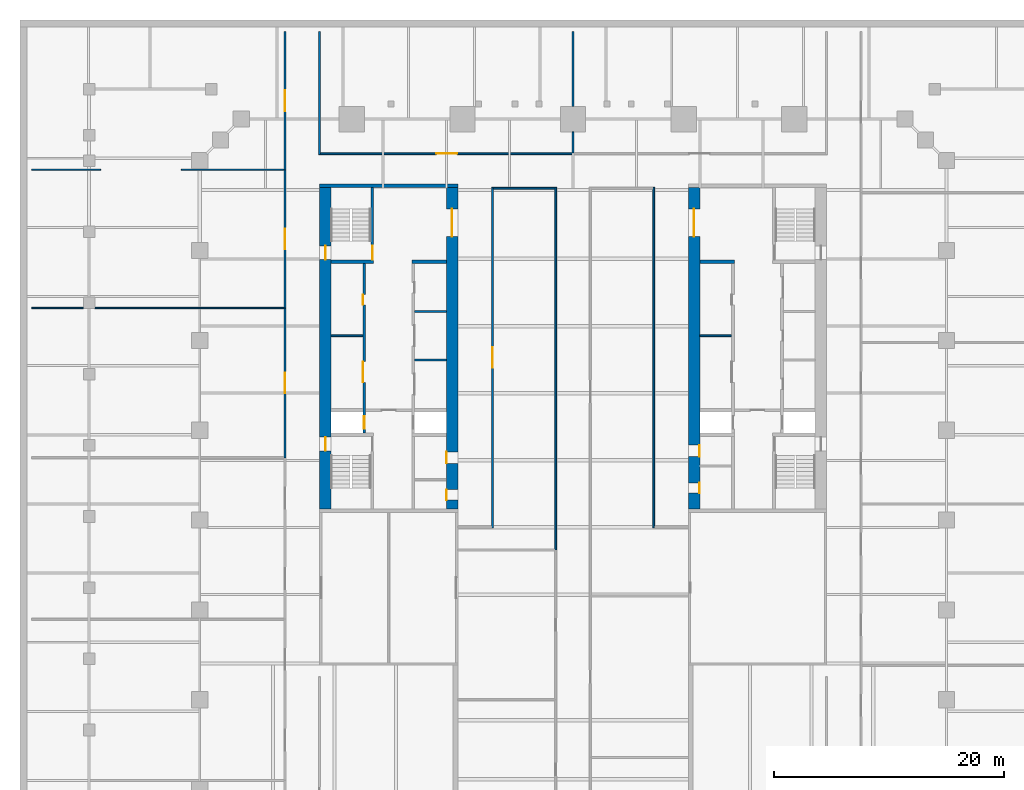
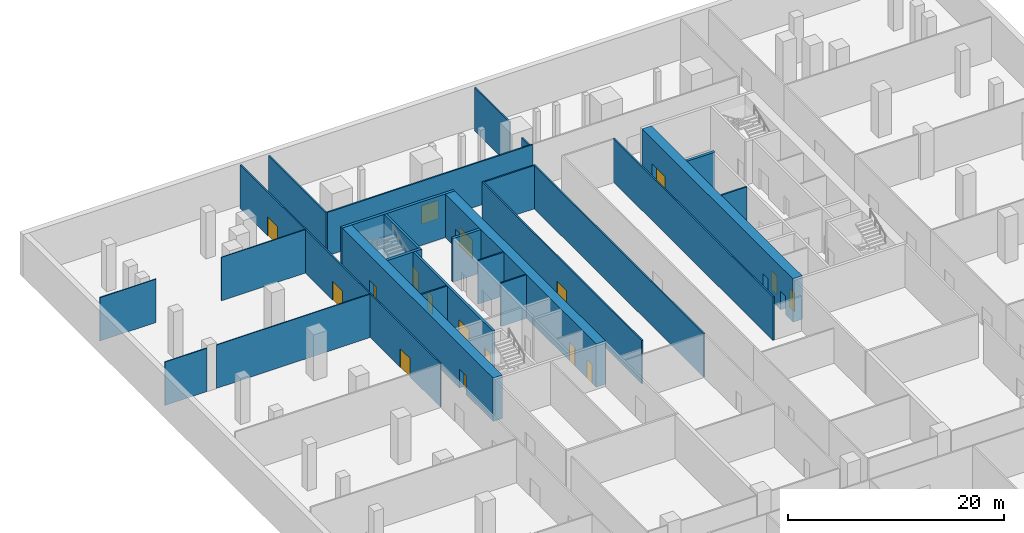
# One storey, part 11 of 15: 28 walls, 17 doors, 17 openings.
"""IFC4 building model written with IfcOpenShell, lengths in metres."""

from ifc_helpers import new_model, si_unit, direction, frame, frame_2d, origin, place, context, subcontext, project, spatial, rectangle, extrude, material, layer, layer_set, type_object, element, fill, save


model = new_model("IFC4")

# Units and contexts
model_context = context("Model", 3, precision=1e-05, world=origin(), true_north=direction((0.0, 1.0)))
body_context = subcontext(model_context, "Body", "Model", "MODEL_VIEW")
ifc_project = project(units=[si_unit("LENGTHUNIT", "METRE"), si_unit("AREAUNIT", "SQUARE_METRE"), si_unit("VOLUMEUNIT", "CUBIC_METRE"), si_unit("PLANEANGLEUNIT", "RADIAN"), si_unit("MASSUNIT", "GRAM", prefix="KILO")], contexts=[model_context])

# Site, building, storey
site_placement = place(None, origin())
site = spatial("IfcSite", under=ifc_project, at=site_placement, CompositionType="ELEMENT")
building_placement = place(site_placement, origin())
building = spatial("IfcBuilding", under=site, at=building_placement, Name="Ogive Exchange Tower", CompositionType="ELEMENT")
storey_placement = place(building_placement, frame((0.0, 0.0, -5.199951171875)))
storey = spatial("IfcBuildingStorey", under=building, at=storey_placement, Name="B1", CompositionType="ELEMENT", Elevation=-5.199951171875)

# Walls
ifc_material_1 = material(Name="Gypsum board partition")
ifc_layer_1 = layer(ifc_material_1, 0.14990234375)
ifc_layer_set_1 = layer_set([ifc_layer_1], Name="Core room partition 150 gypsum")
wall_type_1 = type_object("IfcWallType", Name="Core room partition 150 gypsum", PredefinedType="PARTITIONING", material=ifc_layer_set_1)
for number, where, z_axis, x_axis, name in (
    (1, (-21.0, 12.60009765625, 0.0), (0.0, 0.0, 1.0), (1.0, 0.0, 0.0), "W row A bay partition 1-1"),
    (2, (-13.75, 10.5, 0.0), (0.0, 0.0, 1.0), (1.0, 0.0, 0.0), "W row B bay partition 1-1"),
    (3, (-13.75, 14.699951171875, 0.0), (0.0, 0.0, 1.0), (1.0, 0.0, 0.0), "W row B bay partition 1-2"),
    (4, (11.0, 12.60009765625, 0.0), (0.0, 0.0, 1.0), (1.0, 0.0, 0.0), "E row B bay partition 1-1"),
):
    element("IfcWall", number, at=place(storey_placement, frame(where, z_axis=z_axis, x_axis=x_axis)), inside=storey, type_object=wall_type_1, Name=name, PredefinedType="PARTITIONING", context=body_context, shape_type="SweptSolid", body=[
        extrude(rectangle(XDim=2.75, YDim=0.14990234375, at=frame_2d((1.375, 0.0))), origin(), (0.0, 0.0, 1.0), 4.89990234375),
    ])
ifc_layer_2 = layer(ifc_material_1, 0.300048828125)
ifc_layer_set_2 = layer_set([ifc_layer_2], Name="Core room partition 300 gypsum")
wall_type_2 = type_object("IfcWallType", Name="Core room partition 300 gypsum", PredefinedType="PARTITIONING", material=ifc_layer_set_2)
for number, where, z_axis, x_axis, name in (
    (5, (-14.0, 19.0, 0.0), (0.0, 0.0, 1.0), (1.0, 0.0, 0.0), "W row B room end wall 7"),
    (6, (11.0, 19.0, 0.0), (0.0, 0.0, 1.0), (1.0, 0.0, 0.0), "E row B room end wall 7"),
):
    element("IfcWall", number, at=place(storey_placement, frame(where, z_axis=z_axis, x_axis=x_axis)), inside=storey, type_object=wall_type_2, Name=name, PredefinedType="PARTITIONING", context=body_context, shape_type="SweptSolid", body=[
        extrude(rectangle(XDim=3.0, YDim=0.300048828125, at=frame_2d((1.5, 0.0))), origin(), (0.0, 0.0, 1.0), 4.89990234375),
    ])
ifc_material_2 = material(Name="Fire partition EI 60 150")
ifc_layer_3 = layer(ifc_material_2, 0.14990234375)
ifc_layer_set_3 = layer_set([ifc_layer_3], Name="Fire partition EI 60 150")
wall_type_3 = type_object("IfcWallType", Name="Fire partition EI 60 150", PredefinedType="PARTITIONING", material=ifc_layer_set_3)
wall_1_placement = place(storey_placement, frame((-6.925048828125, 25.39990234375, 0.0), z_axis=(0.0, 0.0, 1.0), x_axis=(1.0, 0.0, 0.0)))
element("IfcWall", 7, at=wall_1_placement, inside=storey, type_object=wall_type_3, Name="B1-PWL-033", PredefinedType="PARTITIONING", context=body_context, shape_type="SweptSolid", body=[
    extrude(rectangle(XDim=5.35009765625, YDim=0.14990234375, at=frame_2d((2.675048828125, 0.0))), origin(), (0.0, 0.0, 1.0), 4.89990234375),
])

# Wall, opening, door
wall_2_placement = place(storey_placement, frame((-21.925048828125, 28.39990234375, 0.0), z_axis=(0.0, 0.0, 1.0), x_axis=(1.0, 0.0, 0.0)))
wall_2 = element("IfcWall", 8, at=wall_2_placement, inside=storey, type_object=wall_type_3, Name="B1-PWL-037", PredefinedType="PARTITIONING", context=body_context, shape_type="SweptSolid", body=[
    extrude(rectangle(XDim=21.925048828125, YDim=0.14990234375, at=frame_2d((10.96240234375, 0.0))), origin(), (0.0, 0.0, 1.0), 4.89990234375),
])
opening_1_placement = place(wall_2_placement, frame((10.0625, 0.0, 0.0)))
opening_1 = element("IfcOpeningElement", 9, at=opening_1_placement, cuts=wall_2, Name="Opening B1-I33", PredefinedType="OPENING", context=body_context, shape_type="SweptSolid", body=[
    extrude(rectangle(XDim=1.800048828125, YDim=2.10009765625, at=frame_2d((0.89990234375, 1.050048828125))), frame((0.0, 0.0849609375, 0.0), z_axis=(0.0, -1.0, 0.0), x_axis=(1.0, 0.0, 0.0)), (0.0, 0.0, 1.0), 0.169921875),
])
ifc_material_3 = material(Name="Fire door FD 30S 1800 x 2100")
door_type_1 = type_object("IfcDoorType", Name="Fire door FD 30S 1800 x 2100", OperationType="DOUBLE_DOOR_SINGLE_SWING", PredefinedType="DOOR", material=ifc_material_3)
door_1_placement = place(opening_1_placement, frame((1.800048828125, 0.0, 0.0), z_axis=(0.0, 0.0, 1.0), x_axis=(-1.0, 0.0, 0.0)))
door_1 = element("IfcDoor", 10, at=door_1_placement, inside=storey, type_object=door_type_1, Name="B1-IDR-033", ObjectType="DT4", OperationType="SINGLE_SWING_LEFT", OverallHeight=2.10009765625, OverallWidth=1.800048828125, PredefinedType="DOOR", context=body_context, shape_type="SweptSolid", body=[
    extrude(rectangle(XDim=1.800048828125, YDim=2.10009765625, at=frame_2d((0.89990234375, 1.050048828125))), frame((0.0, 0.02490234375, 0.0), z_axis=(0.0, -1.0, 0.0), x_axis=(1.0, 0.0, 0.0)), (0.0, 0.0, 1.0), 0.050048828125),
])
fill(opening_1, door_1)

wall_3_placement = place(storey_placement, frame((-25.0, 2.0, 0.0), z_axis=(0.0, 0.0, 1.0), x_axis=(0.0, 1.0, 0.0)))
wall_3 = element("IfcWall", 11, at=wall_3_placement, inside=storey, type_object=wall_type_3, Name="B1-PWL-046", PredefinedType="PARTITIONING", context=body_context, shape_type="SweptSolid", body=[
    extrude(rectangle(XDim=13.0, YDim=0.14990234375, at=frame_2d((6.5, 0.0))), origin(), (0.0, 0.0, 1.0), 4.89990234375),
])
opening_2_placement = place(wall_3_placement, frame((5.60009765625, 0.0, 0.0)))
opening_2 = element("IfcOpeningElement", 12, at=opening_2_placement, cuts=wall_3, Name="Opening B1-I08", PredefinedType="OPENING", context=body_context, shape_type="SweptSolid", body=[
    extrude(rectangle(XDim=1.800048828125, YDim=2.10009765625, at=frame_2d((0.89990234375, 1.050048828125))), frame((0.0, 0.0849609375, 0.0), z_axis=(0.0, -1.0, 0.0), x_axis=(1.0, 0.0, 0.0)), (0.0, 0.0, 1.0), 0.169921875),
])
door_2_placement = place(opening_2_placement, frame((1.800048828125, 0.0, 0.0), z_axis=(0.0, 0.0, 1.0), x_axis=(-1.0, 0.0, 0.0)))
door_2 = element("IfcDoor", 13, at=door_2_placement, inside=storey, type_object=door_type_1, Name="B1-IDR-008", ObjectType="DT4", OperationType="SINGLE_SWING_RIGHT", OverallHeight=2.10009765625, OverallWidth=1.800048828125, PredefinedType="DOOR", context=body_context, shape_type="SweptSolid", body=[
    extrude(rectangle(XDim=1.800048828125, YDim=2.10009765625, at=frame_2d((0.89990234375, 1.050048828125))), frame((0.0, 0.02490234375, 0.0), z_axis=(0.0, -1.0, 0.0), x_axis=(1.0, 0.0, 0.0)), (0.0, 0.0, 1.0), 0.050048828125),
])
fill(opening_2, door_2)

wall_4_placement = place(storey_placement, frame((-25.0, 15.0, 0.0), z_axis=(0.0, 0.0, 1.0), x_axis=(0.0, 1.0, 0.0)))
wall_4 = element("IfcWall", 14, at=wall_4_placement, inside=storey, type_object=wall_type_3, Name="B1-PWL-047", PredefinedType="PARTITIONING", context=body_context, shape_type="SweptSolid", body=[
    extrude(rectangle(XDim=12.0, YDim=0.14990234375, at=frame_2d((6.0, 0.0))), origin(), (0.0, 0.0, 1.0), 4.89990234375),
])
opening_3_placement = place(wall_4_placement, frame((5.10009765625, 0.0, 0.0)))
opening_3 = element("IfcOpeningElement", 15, at=opening_3_placement, cuts=wall_4, Name="Opening B1-I09", PredefinedType="OPENING", context=body_context, shape_type="SweptSolid", body=[
    extrude(rectangle(XDim=1.800048828125, YDim=2.10009765625, at=frame_2d((0.89990234375, 1.050048828125))), frame((0.0, 0.0849609375, 0.0), z_axis=(0.0, -1.0, 0.0), x_axis=(1.0, 0.0, 0.0)), (0.0, 0.0, 1.0), 0.169921875),
])
door_3_placement = place(opening_3_placement, frame((1.800048828125, 0.0, 0.0), z_axis=(0.0, 0.0, 1.0), x_axis=(-1.0, 0.0, 0.0)))
door_3 = element("IfcDoor", 16, at=door_3_placement, inside=storey, type_object=door_type_1, Name="B1-IDR-009", ObjectType="DT4", OperationType="SINGLE_SWING_RIGHT", OverallHeight=2.10009765625, OverallWidth=1.800048828125, PredefinedType="DOOR", context=body_context, shape_type="SweptSolid", body=[
    extrude(rectangle(XDim=1.800048828125, YDim=2.10009765625, at=frame_2d((0.89990234375, 1.050048828125))), frame((0.0, 0.02490234375, 0.0), z_axis=(0.0, -1.0, 0.0), x_axis=(1.0, 0.0, 0.0)), (0.0, 0.0, 1.0), 0.050048828125),
])
fill(opening_3, door_3)

wall_5_placement = place(storey_placement, frame((-25.0, 27.0, 0.0), z_axis=(0.0, 0.0, 1.0), x_axis=(0.0, 1.0, 0.0)))
wall_5 = element("IfcWall", 17, at=wall_5_placement, inside=storey, type_object=wall_type_3, Name="B1-PWL-048", PredefinedType="PARTITIONING", context=body_context, shape_type="SweptSolid", body=[
    extrude(rectangle(XDim=12.0, YDim=0.14990234375, at=frame_2d((6.0, 0.0))), origin(), (0.0, 0.0, 1.0), 4.89990234375),
])
opening_4_placement = place(wall_5_placement, frame((5.10009765625, 0.0, 0.0)))
opening_4 = element("IfcOpeningElement", 18, at=opening_4_placement, cuts=wall_5, Name="Opening B1-I10", PredefinedType="OPENING", context=body_context, shape_type="SweptSolid", body=[
    extrude(rectangle(XDim=1.800048828125, YDim=2.10009765625, at=frame_2d((0.89990234375, 1.050048828125))), frame((0.0, 0.0849609375, 0.0), z_axis=(0.0, -1.0, 0.0), x_axis=(1.0, 0.0, 0.0)), (0.0, 0.0, 1.0), 0.169921875),
])
door_4_placement = place(opening_4_placement, frame((1.800048828125, 0.0, 0.0), z_axis=(0.0, 0.0, 1.0), x_axis=(-1.0, 0.0, 0.0)))
door_4 = element("IfcDoor", 19, at=door_4_placement, inside=storey, type_object=door_type_1, Name="B1-IDR-010", ObjectType="DT4", OperationType="SINGLE_SWING_LEFT", OverallHeight=2.10009765625, OverallWidth=1.800048828125, PredefinedType="DOOR", context=body_context, shape_type="SweptSolid", body=[
    extrude(rectangle(XDim=1.800048828125, YDim=2.10009765625, at=frame_2d((0.89990234375, 1.050048828125))), frame((0.0, 0.02490234375, 0.0), z_axis=(0.0, -1.0, 0.0), x_axis=(1.0, 0.0, 0.0)), (0.0, 0.0, 1.0), 0.050048828125),
])
fill(opening_4, door_4)

# Wall
wall_6_placement = place(storey_placement, frame((-22.0, 28.324951171875, 0.0), z_axis=(0.0, 0.0, 1.0), x_axis=(0.0, 1.0, 0.0)))
element("IfcWall", 20, at=wall_6_placement, inside=storey, type_object=wall_type_3, Name="B1-PWL-051", PredefinedType="PARTITIONING", context=body_context, shape_type="SweptSolid", body=[
    extrude(rectangle(XDim=10.675048828125, YDim=0.14990234375, at=frame_2d((5.33740234375, 0.0))), origin(), (0.0, 0.0, 1.0), 4.89990234375),
])

# Wall, opening, door
wall_7_placement = place(storey_placement, frame((-7.0, -4.074951171875, 0.0), z_axis=(0.0, 0.0, 1.0), x_axis=(0.0, 1.0, 0.0)))
wall_7 = element("IfcWall", 21, at=wall_7_placement, inside=storey, type_object=wall_type_3, Name="B1-PWL-053", PredefinedType="PARTITIONING", context=body_context, shape_type="SweptSolid", body=[
    extrude(rectangle(XDim=29.550048828125, YDim=0.14990234375, at=frame_2d((14.77490234375, 0.0))), origin(), (0.0, 0.0, 1.0), 4.89990234375),
])
opening_5_placement = place(wall_7_placement, frame((13.875, 0.0, 0.0)))
opening_5 = element("IfcOpeningElement", 22, at=opening_5_placement, cuts=wall_7, Name="Opening B1-I23", PredefinedType="OPENING", context=body_context, shape_type="SweptSolid", body=[
    extrude(rectangle(XDim=1.800048828125, YDim=2.10009765625, at=frame_2d((0.89990234375, 1.050048828125))), frame((0.0, 0.0849609375, 0.0), z_axis=(0.0, -1.0, 0.0), x_axis=(1.0, 0.0, 0.0)), (0.0, 0.0, 1.0), 0.169921875),
])
door_5_placement = place(opening_5_placement, frame((1.800048828125, 0.0, 0.0), z_axis=(0.0, 0.0, 1.0), x_axis=(-1.0, 0.0, 0.0)))
door_5 = element("IfcDoor", 23, at=door_5_placement, inside=storey, type_object=door_type_1, Name="B1-IDR-023", ObjectType="DT4", OperationType="SINGLE_SWING_RIGHT", OverallHeight=2.10009765625, OverallWidth=1.800048828125, PredefinedType="DOOR", context=body_context, shape_type="SweptSolid", body=[
    extrude(rectangle(XDim=1.800048828125, YDim=2.10009765625, at=frame_2d((0.89990234375, 1.050048828125))), frame((0.0, 0.02490234375, 0.0), z_axis=(0.0, -1.0, 0.0), x_axis=(1.0, 0.0, 0.0)), (0.0, 0.0, 1.0), 0.050048828125),
])
fill(opening_5, door_5)

# Walls
wall_8_placement = place(storey_placement, frame((-1.5, -6.0, 0.0), z_axis=(0.0, 0.0, 1.0), x_axis=(0.0, 1.0, 0.0)))
element("IfcWall", 24, at=wall_8_placement, inside=storey, type_object=wall_type_3, Name="B1-PWL-056", PredefinedType="PARTITIONING", context=body_context, shape_type="SweptSolid", body=[
    extrude(rectangle(XDim=31.47509765625, YDim=0.14990234375, at=frame_2d((15.737548828125, 0.0))), origin(), (0.0, 0.0, 1.0), 4.89990234375),
])
wall_9_placement = place(storey_placement, frame((0.0, 28.47509765625, 0.0), z_axis=(0.0, 0.0, 1.0), x_axis=(0.0, 1.0, 0.0)))
element("IfcWall", 25, at=wall_9_placement, inside=storey, type_object=wall_type_3, Name="B1-PWL-059", PredefinedType="PARTITIONING", context=body_context, shape_type="SweptSolid", body=[
    extrude(rectangle(XDim=1.824951171875, YDim=0.14990234375, at=frame_2d((0.91259765625, 0.0))), origin(), (0.0, 0.0, 1.0), 4.489990234375),
])
wall_10_placement = place(storey_placement, frame((0.0, 32.5, 0.0), z_axis=(0.0, 0.0, 1.0), x_axis=(0.0, 1.0, 0.0)))
element("IfcWall", 26, at=wall_10_placement, inside=storey, type_object=wall_type_3, Name="B1-PWL-060", PredefinedType="PARTITIONING", context=body_context, shape_type="SweptSolid", body=[
    extrude(rectangle(XDim=6.5, YDim=0.14990234375, at=frame_2d((3.25, 0.0))), origin(), (0.0, 0.0, 1.0), 4.89990234375),
])
wall_11_placement = place(storey_placement, frame((7.0, -4.074951171875, 0.0), z_axis=(0.0, 0.0, 1.0), x_axis=(0.0, 1.0, 0.0)))
element("IfcWall", 27, at=wall_11_placement, inside=storey, type_object=wall_type_3, Name="B1-PWL-064", PredefinedType="PARTITIONING", context=body_context, shape_type="SweptSolid", body=[
    extrude(rectangle(XDim=29.550048828125, YDim=0.14990234375, at=frame_2d((14.77490234375, 0.0))), origin(), (0.0, 0.0, 1.0), 4.89990234375),
])
ifc_material_4 = material(Name="Partition 100 gypsum")
ifc_layer_4 = layer(ifc_material_4, 0.10009765625)
ifc_layer_set_4 = layer_set([ifc_layer_4], Name="Partition 100 gypsum")
wall_type_4 = type_object("IfcWallType", Name="Partition 100 gypsum", PredefinedType="PARTITIONING", material=ifc_layer_set_4)
wall_12_placement = place(storey_placement, frame((-47.0, 15.0, 0.0), z_axis=(0.0, 0.0, 1.0), x_axis=(1.0, 0.0, 0.0)))
element("IfcWall", 28, at=wall_12_placement, inside=storey, type_object=wall_type_4, Name="B1-PWL-030", PredefinedType="PARTITIONING", context=body_context, shape_type="SweptSolid", body=[
    extrude(rectangle(XDim=4.5, YDim=0.10009765625, at=frame_2d((2.25, 0.0))), origin(), (0.0, 0.0, 1.0), 4.89990234375),
])
wall_13_placement = place(storey_placement, frame((-41.5, 15.0, 0.0), z_axis=(0.0, 0.0, 1.0), x_axis=(1.0, 0.0, 0.0)))
element("IfcWall", 29, at=wall_13_placement, inside=storey, type_object=wall_type_4, Name="B1-PWL-031", PredefinedType="PARTITIONING", context=body_context, shape_type="SweptSolid", body=[
    extrude(rectangle(XDim=16.425048828125, YDim=0.10009765625, at=frame_2d((8.21240234375, 0.0))), origin(), (0.0, 0.0, 1.0), 4.89990234375),
])
wall_14_placement = place(storey_placement, frame((-47.0, 27.0, 0.0), z_axis=(0.0, 0.0, 1.0), x_axis=(1.0, 0.0, 0.0)))
element("IfcWall", 30, at=wall_14_placement, inside=storey, type_object=wall_type_4, Name="B1-PWL-035", PredefinedType="PARTITIONING", context=body_context, shape_type="SweptSolid", body=[
    extrude(rectangle(XDim=6.0, YDim=0.10009765625, at=frame_2d((3.0, 0.0))), origin(), (0.0, 0.0, 1.0), 4.89990234375),
])
wall_15_placement = place(storey_placement, frame((-34.0, 27.0, 0.0), z_axis=(0.0, 0.0, 1.0), x_axis=(1.0, 0.0, 0.0)))
element("IfcWall", 31, at=wall_15_placement, inside=storey, type_object=wall_type_4, Name="B1-PWL-036", PredefinedType="PARTITIONING", context=body_context, shape_type="SweptSolid", body=[
    extrude(rectangle(XDim=8.925048828125, YDim=0.10009765625, at=frame_2d((4.46240234375, 0.0))), origin(), (0.0, 0.0, 1.0), 4.89990234375),
])

# Wall, openings, doors
ifc_material_5 = material(Name="Concrete C70/85", Category="concrete")
ifc_layer_5 = layer(ifc_material_5, 1.0)
ifc_layer_set_5 = layer_set([ifc_layer_5], Name="RC core wall 1000 C70/85")
wall_type_5 = type_object("IfcWallType", Name="RC core wall 1000 C70/85", PredefinedType="SHEAR", material=ifc_layer_set_5)
wall_16_placement = place(storey_placement, frame((-21.5, -2.449951171875, 0.0), z_axis=(0.0, 0.0, 1.0), x_axis=(0.0, 1.0, 0.0)))
wall_16 = element("IfcWall", 32, at=wall_16_placement, inside=storey, type_object=wall_type_5, Name="W outer wall", PredefinedType="SHEAR", context=body_context, shape_type="SweptSolid", body=[
    extrude(rectangle(XDim=27.89990234375, YDim=1.0, at=frame_2d((13.949951171875, 0.0))), origin(), (0.0, 0.0, 1.0), 4.89990234375),
])
opening_6_placement = place(wall_16_placement, frame((5.050048828125, 0.0, 0.0)))
opening_6 = element("IfcOpeningElement", 33, at=opening_6_placement, cuts=wall_16, Name="Opening B1-C11", PredefinedType="OPENING", context=body_context, shape_type="SweptSolid", body=[
    extrude(rectangle(XDim=1.199951171875, YDim=2.10009765625, at=frame_2d((0.60009765625, 1.050048828125))), frame((0.0, 0.510009765625, 0.0), z_axis=(0.0, -1.0, 0.0), x_axis=(1.0, 0.0, 0.0)), (0.0, 0.0, 1.0), 1.02001953125),
])
opening_7_placement = place(wall_16_placement, frame((21.64990234375, 0.0, 0.0)))
opening_7 = element("IfcOpeningElement", 34, at=opening_7_placement, cuts=wall_16, Name="Opening B1-C13", PredefinedType="OPENING", context=body_context, shape_type="SweptSolid", body=[
    extrude(rectangle(XDim=1.199951171875, YDim=2.10009765625, at=frame_2d((0.60009765625, 1.050048828125))), frame((0.0, 0.510009765625, 0.0), z_axis=(0.0, -1.0, 0.0), x_axis=(1.0, 0.0, 0.0)), (0.0, 0.0, 1.0), 1.02001953125),
])
ifc_material_6 = material(Name="Steel fire door", Category="steel")
door_type_2 = type_object("IfcDoorType", Name="Stair door FD90 1200 x 2100", OperationType="NOTDEFINED", PredefinedType="DOOR", material=ifc_material_6)
door_6_placement = place(opening_6_placement, frame((1.199951171875, 0.0, 0.0), z_axis=(0.0, 0.0, 1.0), x_axis=(-1.0, 0.0, 0.0)))
door_6 = element("IfcDoor", 35, at=door_6_placement, inside=storey, type_object=door_type_2, Name="Stair door", ObjectType="CD5", OperationType="SINGLE_SWING_RIGHT", OverallHeight=2.10009765625, OverallWidth=1.199951171875, PredefinedType="DOOR", context=body_context, shape_type="SweptSolid", body=[
    extrude(rectangle(XDim=1.199951171875, YDim=2.10009765625, at=frame_2d((0.60009765625, 1.050048828125))), frame((0.0, 0.02490234375, 0.0), z_axis=(0.0, -1.0, 0.0), x_axis=(1.0, 0.0, 0.0)), (0.0, 0.0, 1.0), 0.050048828125),
])
fill(opening_6, door_6)
door_7_placement = place(opening_7_placement, frame((1.199951171875, 0.0, 0.0), z_axis=(0.0, 0.0, 1.0), x_axis=(-1.0, 0.0, 0.0)))
door_7 = element("IfcDoor", 36, at=door_7_placement, inside=storey, type_object=door_type_2, Name="Stair door", ObjectType="CD5", OperationType="SINGLE_SWING_LEFT", OverallHeight=2.10009765625, OverallWidth=1.199951171875, PredefinedType="DOOR", context=body_context, shape_type="SweptSolid", body=[
    extrude(rectangle(XDim=1.199951171875, YDim=2.10009765625, at=frame_2d((0.60009765625, 1.050048828125))), frame((0.0, 0.02490234375, 0.0), z_axis=(0.0, -1.0, 0.0), x_axis=(1.0, 0.0, 0.0)), (0.0, 0.0, 1.0), 0.050048828125),
])
fill(opening_7, door_7)

wall_17_placement = place(storey_placement, frame((-10.5, -2.449951171875, 0.0), z_axis=(0.0, 0.0, 1.0), x_axis=(0.0, 1.0, 0.0)))
wall_17 = element("IfcWall", 37, at=wall_17_placement, inside=storey, type_object=wall_type_5, Name="W inner wall", PredefinedType="SHEAR", context=body_context, shape_type="SweptSolid", body=[
    extrude(rectangle(XDim=27.89990234375, YDim=1.0, at=frame_2d((13.949951171875, 0.0))), origin(), (0.0, 0.0, 1.0), 4.89990234375),
])
opening_8_placement = place(wall_17_placement, frame((23.64990234375, 0.0, 0.0)))
opening_8 = element("IfcOpeningElement", 38, at=opening_8_placement, cuts=wall_17, Name="Opening B1-C09", PredefinedType="OPENING", context=body_context, shape_type="SweptSolid", body=[
    extrude(rectangle(XDim=2.39990234375, YDim=2.10009765625, at=frame_2d((1.199951171875, 1.050048828125))), frame((0.0, 0.510009765625, 0.0), z_axis=(0.0, -1.0, 0.0), x_axis=(1.0, 0.0, 0.0)), (0.0, 0.0, 1.0), 1.02001953125),
])
opening_9_placement = place(wall_17_placement, frame((0.78759765625, 0.0, 0.0)))
opening_9 = element("IfcOpeningElement", 39, at=opening_9_placement, cuts=wall_17, Name="Opening B1-C14", PredefinedType="OPENING", context=body_context, shape_type="SweptSolid", body=[
    extrude(rectangle(XDim=0.89990234375, YDim=2.10009765625, at=frame_2d((0.449951171875, 1.050048828125))), frame((0.0, 0.510009765625, 0.0), z_axis=(0.0, -1.0, 0.0), x_axis=(1.0, 0.0, 0.0)), (0.0, 0.0, 1.0), 1.02001953125),
])
opening_10_placement = place(wall_17_placement, frame((3.96240234375, 0.0, 0.0)))
opening_10 = element("IfcOpeningElement", 40, at=opening_10_placement, cuts=wall_17, Name="Opening B1-C15", PredefinedType="OPENING", context=body_context, shape_type="SweptSolid", body=[
    extrude(rectangle(XDim=1.0, YDim=2.10009765625, at=frame_2d((0.5, 1.050048828125))), frame((0.0, 0.510009765625, 0.0), z_axis=(0.0, -1.0, 0.0), x_axis=(1.0, 0.0, 0.0)), (0.0, 0.0, 1.0), 1.02001953125),
])
ifc_material_7 = material(Name="Timber fire door", Category="wood")
door_type_3 = type_object("IfcDoorType", Name="Accessible WC door FD30S 1000 x 2100", OperationType="NOTDEFINED", PredefinedType="DOOR", material=ifc_material_7)
door_8_placement = place(opening_10_placement, origin())
door_8 = element("IfcDoor", 41, at=door_8_placement, inside=storey, type_object=door_type_3, Name="Accessible WC door", ObjectType="CD7", OperationType="SINGLE_SWING_LEFT", OverallHeight=2.10009765625, OverallWidth=1.0, PredefinedType="DOOR", context=body_context, shape_type="SweptSolid", body=[
    extrude(rectangle(XDim=1.0, YDim=2.10009765625, at=frame_2d((0.5, 1.050048828125))), frame((0.0, 0.5, 0.0), z_axis=(0.0, -1.0, 0.0), x_axis=(1.0, 0.0, 0.0)), (0.0, 0.0, 1.0), 0.050048828125),
])
fill(opening_10, door_8)
door_type_4 = type_object("IfcDoorType", Name="Core room door FD30S 900 x 2100", OperationType="NOTDEFINED", PredefinedType="DOOR", material=ifc_material_7)
door_9_placement = place(opening_9_placement, origin())
door_9 = element("IfcDoor", 42, at=door_9_placement, inside=storey, type_object=door_type_4, Name="Core room door", ObjectType="CD6", OperationType="SINGLE_SWING_LEFT", OverallHeight=2.10009765625, OverallWidth=0.89990234375, PredefinedType="DOOR", context=body_context, shape_type="SweptSolid", body=[
    extrude(rectangle(XDim=0.89990234375, YDim=2.10009765625, at=frame_2d((0.449951171875, 1.050048828125))), frame((0.0, 0.5, 0.0), z_axis=(0.0, -1.0, 0.0), x_axis=(1.0, 0.0, 0.0)), (0.0, 0.0, 1.0), 0.050048828125),
])
fill(opening_9, door_9)
ifc_material_8 = material(Name="Glazed steel fire door", Category="steel")
door_type_5 = type_object("IfcDoorType", Name="Lift lobby double door FD60 2400 x 2100", OperationType="DOUBLE_DOOR_SINGLE_SWING", PredefinedType="DOOR", material=ifc_material_8)
door_10_placement = place(opening_8_placement, frame((2.39990234375, 0.0, 0.0), z_axis=(0.0, 0.0, 1.0), x_axis=(-1.0, 0.0, 0.0)))
door_10 = element("IfcDoor", 43, at=door_10_placement, inside=storey, type_object=door_type_5, Name="Lift lobby double door", ObjectType="CD4", OperationType="DOUBLE_DOOR_SINGLE_SWING", OverallHeight=2.10009765625, OverallWidth=2.39990234375, PredefinedType="DOOR", context=body_context, shape_type="SweptSolid", body=[
    extrude(rectangle(XDim=2.39990234375, YDim=2.10009765625, at=frame_2d((1.199951171875, 1.050048828125))), frame((0.0, 0.02490234375, 0.0), z_axis=(0.0, -1.0, 0.0), x_axis=(1.0, 0.0, 0.0)), (0.0, 0.0, 1.0), 0.050048828125),
])
fill(opening_8, door_10)

wall_18_placement = place(storey_placement, frame((10.5, -2.449951171875, 0.0), z_axis=(0.0, 0.0, 1.0), x_axis=(0.0, 1.0, 0.0)))
wall_18 = element("IfcWall", 44, at=wall_18_placement, inside=storey, type_object=wall_type_5, Name="E inner wall", PredefinedType="SHEAR", context=body_context, shape_type="SweptSolid", body=[
    extrude(rectangle(XDim=27.89990234375, YDim=1.0, at=frame_2d((13.949951171875, 0.0))), origin(), (0.0, 0.0, 1.0), 4.89990234375),
])
opening_11_placement = place(wall_18_placement, frame((23.64990234375, 0.0, 0.0)))
opening_11 = element("IfcOpeningElement", 45, at=opening_11_placement, cuts=wall_18, Name="Opening B1-C26", PredefinedType="OPENING", context=body_context, shape_type="SweptSolid", body=[
    extrude(rectangle(XDim=2.39990234375, YDim=2.10009765625, at=frame_2d((1.199951171875, 1.050048828125))), frame((0.0, 0.510009765625, 0.0), z_axis=(0.0, -1.0, 0.0), x_axis=(1.0, 0.0, 0.0)), (0.0, 0.0, 1.0), 1.02001953125),
])
opening_12_placement = place(wall_18_placement, frame((1.387451171875, 0.0, 0.0)))
opening_12 = element("IfcOpeningElement", 46, at=opening_12_placement, cuts=wall_18, Name="Opening B1-C31", PredefinedType="OPENING", context=body_context, shape_type="SweptSolid", body=[
    extrude(rectangle(XDim=0.89990234375, YDim=2.10009765625, at=frame_2d((0.449951171875, 1.050048828125))), frame((0.0, 0.510009765625, 0.0), z_axis=(0.0, -1.0, 0.0), x_axis=(1.0, 0.0, 0.0)), (0.0, 0.0, 1.0), 1.02001953125),
])
opening_13_placement = place(wall_18_placement, frame((4.5625, 0.0, 0.0)))
opening_13 = element("IfcOpeningElement", 47, at=opening_13_placement, cuts=wall_18, Name="Opening B1-C32", PredefinedType="OPENING", context=body_context, shape_type="SweptSolid", body=[
    extrude(rectangle(XDim=1.0, YDim=2.10009765625, at=frame_2d((0.5, 1.050048828125))), frame((0.0, 0.510009765625, 0.0), z_axis=(0.0, -1.0, 0.0), x_axis=(1.0, 0.0, 0.0)), (0.0, 0.0, 1.0), 1.02001953125),
])
door_11_placement = place(opening_13_placement, frame((1.0, -0.9501953125, 0.0), z_axis=(0.0, 0.0, 1.0), x_axis=(-1.0, 0.0, 0.0)))
door_11 = element("IfcDoor", 48, at=door_11_placement, inside=storey, type_object=door_type_3, Name="Accessible WC door", ObjectType="CD7", OperationType="SINGLE_SWING_LEFT", OverallHeight=2.10009765625, OverallWidth=1.0, PredefinedType="DOOR", context=body_context, shape_type="SweptSolid", body=[
    extrude(rectangle(XDim=1.0, YDim=2.10009765625, at=frame_2d((0.5, 1.050048828125))), frame((0.0, -0.4501953125, 0.0), z_axis=(0.0, -1.0, 0.0), x_axis=(1.0, 0.0, 0.0)), (0.0, 0.0, 1.0), 0.050048828125),
])
fill(opening_13, door_11)
door_12_placement = place(opening_12_placement, frame((0.89990234375, -0.9501953125, 0.0), z_axis=(0.0, 0.0, 1.0), x_axis=(-1.0, 0.0, 0.0)))
door_12 = element("IfcDoor", 49, at=door_12_placement, inside=storey, type_object=door_type_4, Name="Core room door", ObjectType="CD6", OperationType="SINGLE_SWING_LEFT", OverallHeight=2.10009765625, OverallWidth=0.89990234375, PredefinedType="DOOR", context=body_context, shape_type="SweptSolid", body=[
    extrude(rectangle(XDim=0.89990234375, YDim=2.10009765625, at=frame_2d((0.449951171875, 1.050048828125))), frame((0.0, -0.4501953125, 0.0), z_axis=(0.0, -1.0, 0.0), x_axis=(1.0, 0.0, 0.0)), (0.0, 0.0, 1.0), 0.050048828125),
])
fill(opening_12, door_12)
door_13_placement = place(opening_11_placement, origin())
door_13 = element("IfcDoor", 50, at=door_13_placement, inside=storey, type_object=door_type_5, Name="Lift lobby double door", ObjectType="CD4", OperationType="DOUBLE_DOOR_SINGLE_SWING", OverallHeight=2.10009765625, OverallWidth=2.39990234375, PredefinedType="DOOR", context=body_context, shape_type="SweptSolid", body=[
    extrude(rectangle(XDim=2.39990234375, YDim=2.10009765625, at=frame_2d((1.199951171875, 1.050048828125))), frame((0.0, 0.02490234375, 0.0), z_axis=(0.0, -1.0, 0.0), x_axis=(1.0, 0.0, 0.0)), (0.0, 0.0, 1.0), 0.050048828125),
])
fill(opening_11, door_13)

# Wall, opening, door
ifc_layer_6 = layer(ifc_material_5, 0.25)
ifc_layer_set_6 = layer_set([ifc_layer_6], Name="RC core wall 250 C70/85")
wall_type_6 = type_object("IfcWallType", Name="RC core wall 250 C70/85", PredefinedType="SHEAR", material=ifc_layer_set_6)
wall_19_placement = place(storey_placement, frame((-17.425048828125, 19.14990234375, 0.0), z_axis=(0.0, 0.0, 1.0), x_axis=(0.0, 1.0, 0.0)))
wall_19 = element("IfcWall", 51, at=wall_19_placement, inside=storey, type_object=wall_type_6, Name="W stair N front wall", PredefinedType="SHEAR", context=body_context, shape_type="SweptSolid", body=[
    extrude(rectangle(XDim=6.300048828125, YDim=0.25, at=frame_2d((3.14990234375, 0.0))), origin(), (0.0, 0.0, 1.0), 4.89990234375),
])
opening_14_placement = place(wall_19_placement, frame((0.050048828125, 0.0, 0.0)))
opening_14 = element("IfcOpeningElement", 52, at=opening_14_placement, cuts=wall_19, Name="Opening B1-C12", PredefinedType="OPENING", context=body_context, shape_type="SweptSolid", body=[
    extrude(rectangle(XDim=1.199951171875, YDim=2.10009765625, at=frame_2d((0.60009765625, 1.050048828125))), frame((0.0, 0.135009765625, 0.0), z_axis=(0.0, -1.0, 0.0), x_axis=(1.0, 0.0, 0.0)), (0.0, 0.0, 1.0), 0.27001953125),
])
door_14_placement = place(opening_14_placement, origin())
door_14 = element("IfcDoor", 53, at=door_14_placement, inside=storey, type_object=door_type_2, Name="Stair door", ObjectType="CD5", OperationType="SINGLE_SWING_RIGHT", OverallHeight=2.10009765625, OverallWidth=1.199951171875, PredefinedType="DOOR", context=body_context, shape_type="SweptSolid", body=[
    extrude(rectangle(XDim=1.199951171875, YDim=2.10009765625, at=frame_2d((0.60009765625, 1.050048828125))), frame((0.0, 0.02490234375, 0.0), z_axis=(0.0, -1.0, 0.0), x_axis=(1.0, 0.0, 0.0)), (0.0, 0.0, 1.0), 0.050048828125),
])
fill(opening_14, door_14)

# Wall, openings, doors
wall_20_placement = place(storey_placement, frame((-18.125, 4.14990234375, 0.0), z_axis=(0.0, 0.0, 1.0), x_axis=(0.0, 1.0, 0.0)))
wall_20 = element("IfcWall", 54, at=wall_20_placement, inside=storey, type_object=wall_type_6, Name="W row A front wall", PredefinedType="SHEAR", context=body_context, shape_type="SweptSolid", body=[
    extrude(rectangle(XDim=14.7001953125, YDim=0.25, at=frame_2d((7.35009765625, 0.0))), origin(), (0.0, 0.0, 1.0), 4.89990234375),
])
opening_15_placement = place(wall_20_placement, frame((4.396484375, 0.0, 0.0)))
opening_15 = element("IfcOpeningElement", 55, at=opening_15_placement, cuts=wall_20, Name="Opening B1-C01", PredefinedType="OPENING", context=body_context, shape_type="SweptSolid", body=[
    extrude(rectangle(XDim=1.800048828125, YDim=2.39990234375, at=frame_2d((0.89990234375, 1.199951171875))), frame((0.0, 0.135009765625, 0.0), z_axis=(0.0, -1.0, 0.0), x_axis=(1.0, 0.0, 0.0)), (0.0, 0.0, 1.0), 0.27001953125),
])
opening_16_placement = place(wall_20_placement, frame((11.125, 0.0, 0.0)))
opening_16 = element("IfcOpeningElement", 56, at=opening_16_placement, cuts=wall_20, Name="Opening B1-C02", PredefinedType="OPENING", context=body_context, shape_type="SweptSolid", body=[
    extrude(rectangle(XDim=0.89990234375, YDim=2.10009765625, at=frame_2d((0.449951171875, 1.050048828125))), frame((0.0, 0.135009765625, 0.0), z_axis=(0.0, -1.0, 0.0), x_axis=(1.0, 0.0, 0.0)), (0.0, 0.0, 1.0), 0.27001953125),
])
opening_17_placement = place(wall_20_placement, frame((0.371337890625, 0.0, 0.0)))
opening_17 = element("IfcOpeningElement", 57, at=opening_17_placement, cuts=wall_20, Name="Opening B1-C03", PredefinedType="OPENING", context=body_context, shape_type="SweptSolid", body=[
    extrude(rectangle(XDim=1.10009765625, YDim=2.10009765625, at=frame_2d((0.550048828125, 1.050048828125))), frame((0.0, 0.135009765625, 0.0), z_axis=(0.0, -1.0, 0.0), x_axis=(1.0, 0.0, 0.0)), (0.0, 0.0, 1.0), 0.27001953125),
])
ifc_material_9 = material(Name="Stainless steel", Category="steel")
door_type_6 = type_object("IfcDoorType", Name="Lift landing door FD90 1100 x 2100", OperationType="SLIDING_TO_LEFT", PredefinedType="DOOR", material=ifc_material_9)
door_15_placement = place(opening_17_placement, origin())
door_15 = element("IfcDoor", 58, at=door_15_placement, inside=storey, type_object=door_type_6, Name="Lift landing door FF1", ObjectType="LD", OperationType="SLIDING_TO_LEFT", OverallHeight=2.10009765625, OverallWidth=1.10009765625, PredefinedType="DOOR", context=body_context, shape_type="SweptSolid", body=[
    extrude(rectangle(XDim=1.10009765625, YDim=2.10009765625, at=frame_2d((0.550048828125, 1.050048828125))), frame((0.0, 0.02490234375, 0.0), z_axis=(0.0, -1.0, 0.0), x_axis=(1.0, 0.0, 0.0)), (0.0, 0.0, 1.0), 0.050048828125),
])
fill(opening_17, door_15)
door_type_7 = type_object("IfcDoorType", Name="Plant room door FD60 1800 x 2400", OperationType="DOUBLE_DOOR_SINGLE_SWING", PredefinedType="DOOR", material=ifc_material_6)
door_16_placement = place(opening_15_placement, origin())
door_16 = element("IfcDoor", 59, at=door_16_placement, inside=storey, type_object=door_type_7, Name="Plant room door", ObjectType="CD1", OperationType="DOUBLE_DOOR_SINGLE_SWING", OverallHeight=2.39990234375, OverallWidth=1.800048828125, PredefinedType="DOOR", context=body_context, shape_type="SweptSolid", body=[
    extrude(rectangle(XDim=1.800048828125, YDim=2.39990234375, at=frame_2d((0.89990234375, 1.199951171875))), frame((0.0, 0.125, 0.0), z_axis=(0.0, -1.0, 0.0), x_axis=(1.0, 0.0, 0.0)), (0.0, 0.0, 1.0), 0.050048828125),
])
fill(opening_15, door_16)
door_type_8 = type_object("IfcDoorType", Name="Riser door FD60 900 x 2100", OperationType="NOTDEFINED", PredefinedType="DOOR", material=ifc_material_6)
door_17_placement = place(opening_16_placement, origin())
door_17 = element("IfcDoor", 60, at=door_17_placement, inside=storey, type_object=door_type_8, Name="Riser door", ObjectType="CD2", OperationType="SINGLE_SWING_LEFT", OverallHeight=2.10009765625, OverallWidth=0.89990234375, PredefinedType="DOOR", context=body_context, shape_type="SweptSolid", body=[
    extrude(rectangle(XDim=0.89990234375, YDim=2.10009765625, at=frame_2d((0.449951171875, 1.050048828125))), frame((0.0, 0.125, 0.0), z_axis=(0.0, -1.0, 0.0), x_axis=(1.0, 0.0, 0.0)), (0.0, 0.0, 1.0), 0.050048828125),
])
fill(opening_16, door_17)

# Walls
ifc_layer_7 = layer(ifc_material_5, 0.300048828125)
ifc_layer_set_7 = layer_set([ifc_layer_7], Name="RC core wall 300 C70/85")
wall_type_7 = type_object("IfcWallType", Name="RC core wall 300 C70/85", PredefinedType="SHEAR", material=ifc_layer_set_7)
wall_21_placement = place(storey_placement, frame((-22.0, 25.60009765625, 0.0), z_axis=(0.0, 0.0, 1.0), x_axis=(1.0, 0.0, 0.0)))
element("IfcWall", 61, at=wall_21_placement, inside=storey, type_object=wall_type_7, Name="W north end wall", PredefinedType="SHEAR", context=body_context, shape_type="SweptSolid", body=[
    extrude(rectangle(XDim=12.0, YDim=0.300048828125, at=frame_2d((6.0, 0.0))), origin(), (0.0, 0.0, 1.0), 4.89990234375),
])
wall_22_placement = place(storey_placement, frame((-21.0, 19.0, 0.0), z_axis=(0.0, 0.0, 1.0), x_axis=(1.0, 0.0, 0.0)))
element("IfcWall", 62, at=wall_22_placement, inside=storey, type_object=wall_type_7, Name="W stair N south wall", PredefinedType="SHEAR", context=body_context, shape_type="SweptSolid", body=[
    extrude(rectangle(XDim=3.699951171875, YDim=0.300048828125, at=frame_2d((1.85009765625, 0.0))), origin(), (0.0, 0.0, 1.0), 4.89990234375),
])

save(model, "model.ifc")
